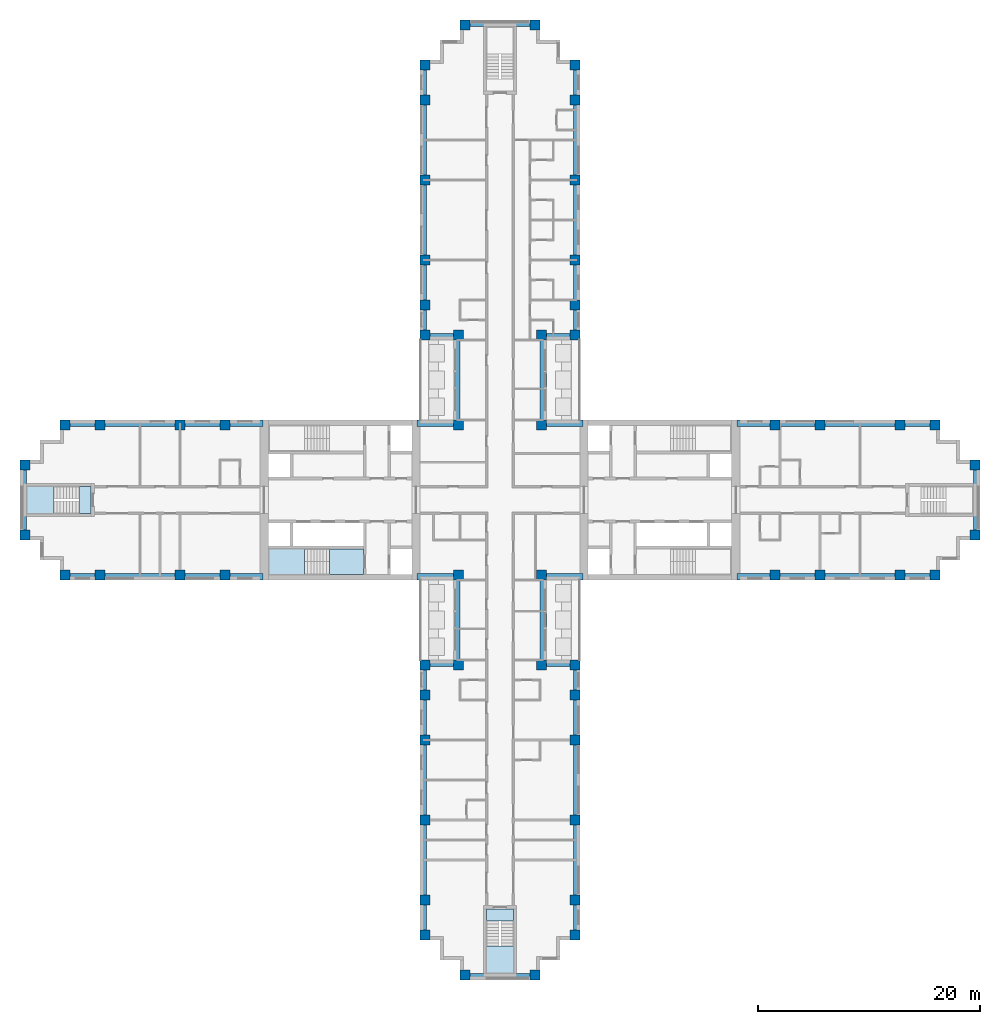
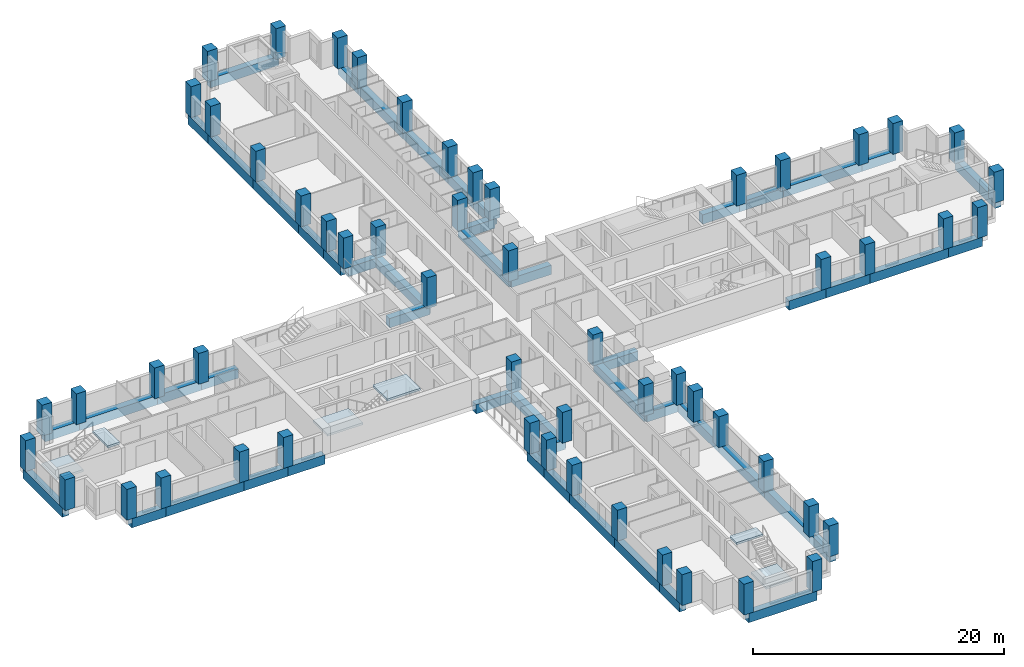
# One storey, part 1 of 15: 56 columns, 52 beams, 6 slabs, 3 elements without a shape of their own.
"""IFC4 building model written with IfcOpenShell, lengths in metres."""

from ifc_helpers import new_model, si_unit, direction, frame, origin, origin_2d, place, context, subcontext, project, spatial, polyline, rectangle, outline, extrude, material, layer, layer_set, material_profile, profile_set, type_object, element, aggregate, save


model = new_model("IFC4")

# Units and contexts
model_context = context("Model", 3, precision=1e-05, world=origin(), true_north=direction((0.0, 1.0)))
body_context = subcontext(model_context, "Body", "Model", "MODEL_VIEW")
ifc_project = project(units=[si_unit("LENGTHUNIT", "METRE"), si_unit("AREAUNIT", "SQUARE_METRE"), si_unit("VOLUMEUNIT", "CUBIC_METRE"), si_unit("PLANEANGLEUNIT", "RADIAN"), si_unit("MASSUNIT", "GRAM", prefix="KILO")], contexts=[model_context])

# Site, building, storey
site_placement = place(None, origin())
site = spatial("IfcSite", under=ifc_project, at=site_placement, CompositionType="ELEMENT")
building_placement = place(site_placement, origin())
building = spatial("IfcBuilding", under=site, at=building_placement, Name="Fustian Cross Tower", CompositionType="ELEMENT")
storey_placement = place(building_placement, frame((0.0, 0.0, 38.699951171875)))
storey = spatial("IfcBuildingStorey", under=building, at=storey_placement, Name="L11", CompositionType="ELEMENT", Elevation=38.699951171875)

# Columns
ifc_material_1 = material(Name="Concrete C70/85", Category="concrete")
ifc_material_profile_1 = material_profile(ifc_material_1, rectangle(XDim=0.89990234375, YDim=0.89990234375, at=origin_2d()), Name="RC 900x900")
ifc_profile_set_1 = profile_set([ifc_material_profile_1], Name="Concrete C70/85")
column_type = type_object("IfcColumnType", Name="COLUMN RC 900x900 C70/85", PredefinedType="COLUMN", material=ifc_profile_set_1)
for number, where, z_axis, x_axis, name in (
    (1, (-42.75, -3.14990234375, 0.0), (0.0, 0.0, 1.0), (1.0, 0.0, 0.0), "COLUMN 001"),
    (2, (-42.75, 3.14990234375, 0.0), (0.0, 0.0, 1.0), (1.0, 0.0, 0.0), "COLUMN 002"),
    (3, (-39.14990234375, -6.75, 0.0), (0.0, 0.0, 1.0), (1.0, 0.0, 0.0), "COLUMN 003"),
    (4, (-39.14990234375, 6.75, 0.0), (0.0, 0.0, 1.0), (1.0, 0.0, 0.0), "COLUMN 004"),
    (5, (-36.0, -6.75, 0.0), (0.0, 0.0, 1.0), (1.0, 0.0, 0.0), "COLUMN 005"),
    (6, (-36.0, 6.75, 0.0), (0.0, 0.0, 1.0), (1.0, 0.0, 0.0), "COLUMN 006"),
    (7, (-28.800048828125, -6.75, 0.0), (0.0, 0.0, 1.0), (1.0, 0.0, 0.0), "COLUMN 007"),
    (8, (-28.800048828125, 6.75, 0.0), (0.0, 0.0, 1.0), (1.0, 0.0, 0.0), "COLUMN 010"),
    (9, (-24.75, -6.75, 0.0), (0.0, 0.0, 1.0), (1.0, 0.0, 0.0), "COLUMN 011"),
    (10, (-24.75, 6.75, 0.0), (0.0, 0.0, 1.0), (1.0, 0.0, 0.0), "COLUMN 012"),
    (11, (-6.75, -39.14990234375, 0.0), (0.0, 0.0, 1.0), (1.0, 0.0, 0.0), "COLUMN 013"),
    (12, (-6.75, -36.0, 0.0), (0.0, 0.0, 1.0), (1.0, 0.0, 0.0), "COLUMN 014"),
    (13, (-6.75, -28.800048828125, 0.0), (0.0, 0.0, 1.0), (1.0, 0.0, 0.0), "COLUMN 015"),
    (14, (-6.75, -21.60009765625, 0.0), (0.0, 0.0, 1.0), (1.0, 0.0, 0.0), "COLUMN 016"),
    (15, (-6.75, -17.550048828125, 0.0), (0.0, 0.0, 1.0), (1.0, 0.0, 0.0), "COLUMN 017"),
    (16, (-6.75, -14.85009765625, 0.0), (0.0, 0.0, 1.0), (1.0, 0.0, 0.0), "COLUMN 018"),
    (17, (-6.75, 14.85009765625, 0.0), (0.0, 0.0, 1.0), (1.0, 0.0, 0.0), "COLUMN 019"),
    (18, (-6.75, 17.550048828125, 0.0), (0.0, 0.0, 1.0), (1.0, 0.0, 0.0), "COLUMN 020"),
    (19, (-6.75, 21.60009765625, 0.0), (0.0, 0.0, 1.0), (1.0, 0.0, 0.0), "COLUMN 021"),
    (20, (-6.75, 28.800048828125, 0.0), (0.0, 0.0, 1.0), (1.0, 0.0, 0.0), "COLUMN 022"),
    (21, (-6.75, 36.0, 0.0), (0.0, 0.0, 1.0), (1.0, 0.0, 0.0), "COLUMN 023"),
    (22, (-6.75, 39.14990234375, 0.0), (0.0, 0.0, 1.0), (1.0, 0.0, 0.0), "COLUMN 024"),
    (23, (-3.75, -14.85009765625, 0.0), (0.0, 0.0, 1.0), (1.0, 0.0, 0.0), "COLUMN 025"),
    (24, (-3.75, -6.75, 0.0), (0.0, 0.0, 1.0), (1.0, 0.0, 0.0), "COLUMN 026"),
    (25, (-3.75, 6.75, 0.0), (0.0, 0.0, 1.0), (1.0, 0.0, 0.0), "COLUMN 027"),
    (26, (-3.75, 14.85009765625, 0.0), (0.0, 0.0, 1.0), (1.0, 0.0, 0.0), "COLUMN 028"),
    (27, (-3.14990234375, -42.75, 0.0), (0.0, 0.0, 1.0), (1.0, 0.0, 0.0), "COLUMN 029"),
    (28, (-3.14990234375, 42.75, 0.0), (0.0, 0.0, 1.0), (1.0, 0.0, 0.0), "COLUMN 032"),
    (29, (3.14990234375, -42.75, 0.0), (0.0, 0.0, 1.0), (1.0, 0.0, 0.0), "COLUMN 033"),
    (30, (3.14990234375, 42.75, 0.0), (0.0, 0.0, 1.0), (1.0, 0.0, 0.0), "COLUMN 036"),
    (31, (3.75, -14.85009765625, 0.0), (0.0, 0.0, 1.0), (1.0, 0.0, 0.0), "COLUMN 037"),
    (32, (3.75, -6.75, 0.0), (0.0, 0.0, 1.0), (1.0, 0.0, 0.0), "COLUMN 038"),
    (33, (3.75, 6.75, 0.0), (0.0, 0.0, 1.0), (1.0, 0.0, 0.0), "COLUMN 039"),
    (34, (3.75, 14.85009765625, 0.0), (0.0, 0.0, 1.0), (1.0, 0.0, 0.0), "COLUMN 040"),
    (35, (6.75, -39.14990234375, 0.0), (0.0, 0.0, 1.0), (1.0, 0.0, 0.0), "COLUMN 041"),
    (36, (6.75, -36.0, 0.0), (0.0, 0.0, 1.0), (1.0, 0.0, 0.0), "COLUMN 042"),
    (37, (6.75, -28.800048828125, 0.0), (0.0, 0.0, 1.0), (1.0, 0.0, 0.0), "COLUMN 043"),
    (38, (6.75, -21.60009765625, 0.0), (0.0, 0.0, 1.0), (1.0, 0.0, 0.0), "COLUMN 044"),
    (39, (6.75, -17.550048828125, 0.0), (0.0, 0.0, 1.0), (1.0, 0.0, 0.0), "COLUMN 045"),
    (40, (6.75, -14.85009765625, 0.0), (0.0, 0.0, 1.0), (1.0, 0.0, 0.0), "COLUMN 046"),
    (41, (6.75, 14.85009765625, 0.0), (0.0, 0.0, 1.0), (1.0, 0.0, 0.0), "COLUMN 047"),
    (42, (6.75, 17.550048828125, 0.0), (0.0, 0.0, 1.0), (1.0, 0.0, 0.0), "COLUMN 048"),
    (43, (6.75, 21.60009765625, 0.0), (0.0, 0.0, 1.0), (1.0, 0.0, 0.0), "COLUMN 049"),
    (44, (6.75, 28.800048828125, 0.0), (0.0, 0.0, 1.0), (1.0, 0.0, 0.0), "COLUMN 050"),
    (45, (6.75, 36.0, 0.0), (0.0, 0.0, 1.0), (1.0, 0.0, 0.0), "COLUMN 051"),
    (46, (6.75, 39.14990234375, 0.0), (0.0, 0.0, 1.0), (1.0, 0.0, 0.0), "COLUMN 052"),
    (47, (24.75, -6.75, 0.0), (0.0, 0.0, 1.0), (1.0, 0.0, 0.0), "COLUMN 053"),
    (48, (24.75, 6.75, 0.0), (0.0, 0.0, 1.0), (1.0, 0.0, 0.0), "COLUMN 054"),
    (49, (28.800048828125, -6.75, 0.0), (0.0, 0.0, 1.0), (1.0, 0.0, 0.0), "COLUMN 055"),
    (50, (28.800048828125, 6.75, 0.0), (0.0, 0.0, 1.0), (1.0, 0.0, 0.0), "COLUMN 058"),
    (51, (36.0, -6.75, 0.0), (0.0, 0.0, 1.0), (1.0, 0.0, 0.0), "COLUMN 059"),
    (52, (36.0, 6.75, 0.0), (0.0, 0.0, 1.0), (1.0, 0.0, 0.0), "COLUMN 060"),
    (53, (39.14990234375, -6.75, 0.0), (0.0, 0.0, 1.0), (1.0, 0.0, 0.0), "COLUMN 061"),
    (54, (39.14990234375, 6.75, 0.0), (0.0, 0.0, 1.0), (1.0, 0.0, 0.0), "COLUMN 062"),
    (55, (42.75, -3.14990234375, 0.0), (0.0, 0.0, 1.0), (1.0, 0.0, 0.0), "COLUMN 063"),
    (56, (42.75, 3.14990234375, 0.0), (0.0, 0.0, 1.0), (1.0, 0.0, 0.0), "COLUMN 064"),
):
    element("IfcColumn", number, at=place(storey_placement, frame(where, z_axis=z_axis, x_axis=x_axis)), inside=storey, type_object=column_type, Name=name, PredefinedType="COLUMN", context=body_context, shape_type="SweptSolid", body=[
        extrude(rectangle(XDim=0.89990234375, YDim=0.89990234375, at=origin_2d()), origin(), (0.0, 0.0, 1.0), 3.0),
    ])

# Beams
ifc_material_2 = material(Name="Concrete C50/60", Category="concrete")
ifc_material_profile_2 = material_profile(ifc_material_2, rectangle(XDim=0.60009765625, YDim=0.89990234375, at=origin_2d()), Name="RC 600x900")
ifc_profile_set_2 = profile_set([ifc_material_profile_2], Name="Concrete C50/60")
beam_type = type_object("IfcBeamType", Name="EDGE BEAM RC 600x900 C50/60", PredefinedType="SPANDREL", material=ifc_profile_set_2)
beam_1_placement = place(storey_placement, frame((21.35009765625, -6.89990234375, -0.449951171875), z_axis=(1.0, 0.0, 0.0), x_axis=(0.0, 1.0, 0.0)))
element("IfcBeam", 57, at=beam_1_placement, inside=storey, type_object=beam_type, Name="EDGE BEAM L11-01", PredefinedType="SPANDREL", context=body_context, shape_type="SweptSolid", body=[
    extrude(rectangle(XDim=0.60009765625, YDim=0.89990234375, at=origin_2d()), origin(), (0.0, 0.0, 1.0), 3.39990234375),
])
beam_2_placement = place(storey_placement, frame((24.75, -6.89990234375, -0.449951171875), z_axis=(1.0, 0.0, 0.0), x_axis=(0.0, 1.0, 0.0)))
element("IfcBeam", 58, at=beam_2_placement, inside=storey, type_object=beam_type, Name="EDGE BEAM L11-02", PredefinedType="SPANDREL", context=body_context, shape_type="SweptSolid", body=[
    extrude(rectangle(XDim=0.60009765625, YDim=0.89990234375, at=origin_2d()), origin(), (0.0, 0.0, 1.0), 4.050048828125),
])
beam_3_placement = place(storey_placement, frame((28.800048828125, -6.89990234375, -0.449951171875), z_axis=(1.0, 0.0, 0.0), x_axis=(0.0, 1.0, 0.0)))
element("IfcBeam", 59, at=beam_3_placement, inside=storey, type_object=beam_type, Name="EDGE BEAM L11-03", PredefinedType="SPANDREL", context=body_context, shape_type="SweptSolid", body=[
    extrude(rectangle(XDim=0.60009765625, YDim=0.89990234375, at=origin_2d()), origin(), (0.0, 0.0, 1.0), 7.199951171875),
])
beam_4_placement = place(storey_placement, frame((36.0, -6.89990234375, -0.449951171875), z_axis=(1.0, 0.0, 0.0), x_axis=(0.0, 1.0, 0.0)))
element("IfcBeam", 60, at=beam_4_placement, inside=storey, type_object=beam_type, Name="EDGE BEAM L11-04", PredefinedType="SPANDREL", context=body_context, shape_type="SweptSolid", body=[
    extrude(rectangle(XDim=0.60009765625, YDim=0.89990234375, at=origin_2d()), origin(), (0.0, 0.0, 1.0), 3.14990234375),
])
beam_5_placement = place(storey_placement, frame((42.89990234375, -3.14990234375, -0.449951171875), z_axis=(0.0, 1.0, 0.0), x_axis=(-1.0, 0.0, 0.0)))
element("IfcBeam", 61, at=beam_5_placement, inside=storey, type_object=beam_type, Name="EDGE BEAM L11-05", PredefinedType="SPANDREL", context=body_context, shape_type="SweptSolid", body=[
    extrude(rectangle(XDim=0.60009765625, YDim=0.89990234375, at=origin_2d()), origin(), (0.0, 0.0, 1.0), 6.2998046875),
])
beam_6_placement = place(storey_placement, frame((39.14990234375, 6.89990234375, -0.449951171875), z_axis=(-1.0, 0.0, 0.0), x_axis=(0.0, -1.0, 0.0)))
element("IfcBeam", 62, at=beam_6_placement, inside=storey, type_object=beam_type, Name="EDGE BEAM L11-06", PredefinedType="SPANDREL", context=body_context, shape_type="SweptSolid", body=[
    extrude(rectangle(XDim=0.60009765625, YDim=0.89990234375, at=origin_2d()), origin(), (0.0, 0.0, 1.0), 3.14990234375),
])
beam_7_placement = place(storey_placement, frame((36.0, 6.89990234375, -0.449951171875), z_axis=(-1.0, 0.0, 0.0), x_axis=(0.0, -1.0, 0.0)))
element("IfcBeam", 63, at=beam_7_placement, inside=storey, type_object=beam_type, Name="EDGE BEAM L11-07", PredefinedType="SPANDREL", context=body_context, shape_type="SweptSolid", body=[
    extrude(rectangle(XDim=0.60009765625, YDim=0.89990234375, at=origin_2d()), origin(), (0.0, 0.0, 1.0), 7.199951171875),
])
beam_8_placement = place(storey_placement, frame((28.800048828125, 6.89990234375, -0.449951171875), z_axis=(-1.0, 0.0, 0.0), x_axis=(0.0, -1.0, 0.0)))
element("IfcBeam", 64, at=beam_8_placement, inside=storey, type_object=beam_type, Name="EDGE BEAM L11-08", PredefinedType="SPANDREL", context=body_context, shape_type="SweptSolid", body=[
    extrude(rectangle(XDim=0.60009765625, YDim=0.89990234375, at=origin_2d()), origin(), (0.0, 0.0, 1.0), 4.050048828125),
])
beam_9_placement = place(storey_placement, frame((24.75, 6.89990234375, -0.449951171875), z_axis=(-1.0, 0.0, 0.0), x_axis=(0.0, -1.0, 0.0)))
element("IfcBeam", 65, at=beam_9_placement, inside=storey, type_object=beam_type, Name="EDGE BEAM L11-09", PredefinedType="SPANDREL", context=body_context, shape_type="SweptSolid", body=[
    extrude(rectangle(XDim=0.60009765625, YDim=0.89990234375, at=origin_2d()), origin(), (0.0, 0.0, 1.0), 3.39990234375),
])
beam_10_placement = place(storey_placement, frame((7.449951171875, 6.89990234375, -0.449951171875), z_axis=(-1.0, 0.0, 0.0), x_axis=(0.0, -1.0, 0.0)))
element("IfcBeam", 66, at=beam_10_placement, inside=storey, type_object=beam_type, Name="EDGE BEAM L11-10", PredefinedType="SPANDREL", context=body_context, shape_type="SweptSolid", body=[
    extrude(rectangle(XDim=0.60009765625, YDim=0.89990234375, at=origin_2d()), origin(), (0.0, 0.0, 1.0), 3.699951171875),
])
beam_11_placement = place(storey_placement, frame((3.89990234375, 6.75, -0.449951171875), z_axis=(0.0, 1.0, 0.0), x_axis=(-1.0, 0.0, 0.0)))
element("IfcBeam", 67, at=beam_11_placement, inside=storey, type_object=beam_type, Name="EDGE BEAM L11-11", PredefinedType="SPANDREL", context=body_context, shape_type="SweptSolid", body=[
    extrude(rectangle(XDim=0.60009765625, YDim=0.89990234375, at=origin_2d()), origin(), (0.0, 0.0, 1.0), 8.10009765625),
])
beam_12_placement = place(storey_placement, frame((3.75, 14.699951171875, -0.449951171875), z_axis=(1.0, 0.0, 0.0), x_axis=(0.0, 1.0, 0.0)))
element("IfcBeam", 68, at=beam_12_placement, inside=storey, type_object=beam_type, Name="EDGE BEAM L11-12", PredefinedType="SPANDREL", context=body_context, shape_type="SweptSolid", body=[
    extrude(rectangle(XDim=0.60009765625, YDim=0.89990234375, at=origin_2d()), origin(), (0.0, 0.0, 1.0), 3.0),
])
beam_13_placement = place(storey_placement, frame((6.89990234375, 14.85009765625, -0.449951171875), z_axis=(0.0, 1.0, 0.0), x_axis=(-1.0, 0.0, 0.0)))
element("IfcBeam", 69, at=beam_13_placement, inside=storey, type_object=beam_type, Name="EDGE BEAM L11-13", PredefinedType="SPANDREL", context=body_context, shape_type="SweptSolid", body=[
    extrude(rectangle(XDim=0.60009765625, YDim=0.89990234375, at=origin_2d()), origin(), (0.0, 0.0, 1.0), 2.699951171875),
])
beam_14_placement = place(storey_placement, frame((6.89990234375, 17.550048828125, -0.449951171875), z_axis=(0.0, 1.0, 0.0), x_axis=(-1.0, 0.0, 0.0)))
element("IfcBeam", 70, at=beam_14_placement, inside=storey, type_object=beam_type, Name="EDGE BEAM L11-14", PredefinedType="SPANDREL", context=body_context, shape_type="SweptSolid", body=[
    extrude(rectangle(XDim=0.60009765625, YDim=0.89990234375, at=origin_2d()), origin(), (0.0, 0.0, 1.0), 4.050048828125),
])
for number, where, z_axis, x_axis, name in (
    (71, (6.89990234375, 21.60009765625, -0.449951171875), (0.0, 1.0, 0.0), (-1.0, 0.0, 0.0), "EDGE BEAM L11-15"),
    (72, (6.89990234375, 28.800048828125, -0.449951171875), (0.0, 1.0, 0.0), (-1.0, 0.0, 0.0), "EDGE BEAM L11-16"),
):
    element("IfcBeam", number, at=place(storey_placement, frame(where, z_axis=z_axis, x_axis=x_axis)), inside=storey, type_object=beam_type, Name=name, PredefinedType="SPANDREL", context=body_context, shape_type="SweptSolid", body=[
        extrude(rectangle(XDim=0.60009765625, YDim=0.89990234375, at=origin_2d()), origin(), (0.0, 0.0, 1.0), 7.199951171875),
    ])
beam_15_placement = place(storey_placement, frame((6.89990234375, 36.0, -0.449951171875), z_axis=(0.0, 1.0, 0.0), x_axis=(-1.0, 0.0, 0.0)))
element("IfcBeam", 73, at=beam_15_placement, inside=storey, type_object=beam_type, Name="EDGE BEAM L11-17", PredefinedType="SPANDREL", context=body_context, shape_type="SweptSolid", body=[
    extrude(rectangle(XDim=0.60009765625, YDim=0.89990234375, at=origin_2d()), origin(), (0.0, 0.0, 1.0), 3.14990234375),
])
beam_16_placement = place(storey_placement, frame((3.14990234375, 42.89990234375, -0.449951171875), z_axis=(-1.0, 0.0, 0.0), x_axis=(0.0, -1.0, 0.0)))
element("IfcBeam", 74, at=beam_16_placement, inside=storey, type_object=beam_type, Name="EDGE BEAM L11-18", PredefinedType="SPANDREL", context=body_context, shape_type="SweptSolid", body=[
    extrude(rectangle(XDim=0.60009765625, YDim=0.89990234375, at=origin_2d()), origin(), (0.0, 0.0, 1.0), 6.2998046875),
])
beam_17_placement = place(storey_placement, frame((-6.89990234375, 39.14990234375, -0.449951171875), z_axis=(0.0, -1.0, 0.0), x_axis=(1.0, 0.0, 0.0)))
element("IfcBeam", 75, at=beam_17_placement, inside=storey, type_object=beam_type, Name="EDGE BEAM L11-19", PredefinedType="SPANDREL", context=body_context, shape_type="SweptSolid", body=[
    extrude(rectangle(XDim=0.60009765625, YDim=0.89990234375, at=origin_2d()), origin(), (0.0, 0.0, 1.0), 3.14990234375),
])
for number, where, z_axis, x_axis, name in (
    (76, (-6.89990234375, 36.0, -0.449951171875), (0.0, -1.0, 0.0), (1.0, 0.0, 0.0), "EDGE BEAM L11-20"),
    (77, (-6.89990234375, 28.800048828125, -0.449951171875), (0.0, -1.0, 0.0), (1.0, 0.0, 0.0), "EDGE BEAM L11-21"),
):
    element("IfcBeam", number, at=place(storey_placement, frame(where, z_axis=z_axis, x_axis=x_axis)), inside=storey, type_object=beam_type, Name=name, PredefinedType="SPANDREL", context=body_context, shape_type="SweptSolid", body=[
        extrude(rectangle(XDim=0.60009765625, YDim=0.89990234375, at=origin_2d()), origin(), (0.0, 0.0, 1.0), 7.199951171875),
    ])
beam_18_placement = place(storey_placement, frame((-6.89990234375, 21.60009765625, -0.449951171875), z_axis=(0.0, -1.0, 0.0), x_axis=(1.0, 0.0, 0.0)))
element("IfcBeam", 78, at=beam_18_placement, inside=storey, type_object=beam_type, Name="EDGE BEAM L11-22", PredefinedType="SPANDREL", context=body_context, shape_type="SweptSolid", body=[
    extrude(rectangle(XDim=0.60009765625, YDim=0.89990234375, at=origin_2d()), origin(), (0.0, 0.0, 1.0), 4.050048828125),
])
beam_19_placement = place(storey_placement, frame((-6.89990234375, 17.550048828125, -0.449951171875), z_axis=(0.0, -1.0, 0.0), x_axis=(1.0, 0.0, 0.0)))
element("IfcBeam", 79, at=beam_19_placement, inside=storey, type_object=beam_type, Name="EDGE BEAM L11-23", PredefinedType="SPANDREL", context=body_context, shape_type="SweptSolid", body=[
    extrude(rectangle(XDim=0.60009765625, YDim=0.89990234375, at=origin_2d()), origin(), (0.0, 0.0, 1.0), 2.699951171875),
])
beam_20_placement = place(storey_placement, frame((-6.75, 14.699951171875, -0.449951171875), z_axis=(1.0, 0.0, 0.0), x_axis=(0.0, 1.0, 0.0)))
element("IfcBeam", 80, at=beam_20_placement, inside=storey, type_object=beam_type, Name="EDGE BEAM L11-24", PredefinedType="SPANDREL", context=body_context, shape_type="SweptSolid", body=[
    extrude(rectangle(XDim=0.60009765625, YDim=0.89990234375, at=origin_2d()), origin(), (0.0, 0.0, 1.0), 3.0),
])
beam_21_placement = place(storey_placement, frame((-3.89990234375, 14.85009765625, -0.449951171875), z_axis=(0.0, -1.0, 0.0), x_axis=(1.0, 0.0, 0.0)))
element("IfcBeam", 81, at=beam_21_placement, inside=storey, type_object=beam_type, Name="EDGE BEAM L11-25", PredefinedType="SPANDREL", context=body_context, shape_type="SweptSolid", body=[
    extrude(rectangle(XDim=0.60009765625, YDim=0.89990234375, at=origin_2d()), origin(), (0.0, 0.0, 1.0), 8.10009765625),
])
beam_22_placement = place(storey_placement, frame((-3.75, 6.89990234375, -0.449951171875), z_axis=(-1.0, 0.0, 0.0), x_axis=(0.0, -1.0, 0.0)))
element("IfcBeam", 82, at=beam_22_placement, inside=storey, type_object=beam_type, Name="EDGE BEAM L11-26", PredefinedType="SPANDREL", context=body_context, shape_type="SweptSolid", body=[
    extrude(rectangle(XDim=0.60009765625, YDim=0.89990234375, at=origin_2d()), origin(), (0.0, 0.0, 1.0), 3.699951171875),
])
beam_23_placement = place(storey_placement, frame((-21.35009765625, 6.89990234375, -0.449951171875), z_axis=(-1.0, 0.0, 0.0), x_axis=(0.0, -1.0, 0.0)))
element("IfcBeam", 83, at=beam_23_placement, inside=storey, type_object=beam_type, Name="EDGE BEAM L11-27", PredefinedType="SPANDREL", context=body_context, shape_type="SweptSolid", body=[
    extrude(rectangle(XDim=0.60009765625, YDim=0.89990234375, at=origin_2d()), origin(), (0.0, 0.0, 1.0), 3.39990234375),
])
beam_24_placement = place(storey_placement, frame((-24.75, 6.89990234375, -0.449951171875), z_axis=(-1.0, 0.0, 0.0), x_axis=(0.0, -1.0, 0.0)))
element("IfcBeam", 84, at=beam_24_placement, inside=storey, type_object=beam_type, Name="EDGE BEAM L11-28", PredefinedType="SPANDREL", context=body_context, shape_type="SweptSolid", body=[
    extrude(rectangle(XDim=0.60009765625, YDim=0.89990234375, at=origin_2d()), origin(), (0.0, 0.0, 1.0), 4.050048828125),
])
beam_25_placement = place(storey_placement, frame((-28.800048828125, 6.89990234375, -0.449951171875), z_axis=(-1.0, 0.0, 0.0), x_axis=(0.0, -1.0, 0.0)))
element("IfcBeam", 85, at=beam_25_placement, inside=storey, type_object=beam_type, Name="EDGE BEAM L11-29", PredefinedType="SPANDREL", context=body_context, shape_type="SweptSolid", body=[
    extrude(rectangle(XDim=0.60009765625, YDim=0.89990234375, at=origin_2d()), origin(), (0.0, 0.0, 1.0), 7.199951171875),
])
beam_26_placement = place(storey_placement, frame((-36.0, 6.89990234375, -0.449951171875), z_axis=(-1.0, 0.0, 0.0), x_axis=(0.0, -1.0, 0.0)))
element("IfcBeam", 86, at=beam_26_placement, inside=storey, type_object=beam_type, Name="EDGE BEAM L11-30", PredefinedType="SPANDREL", context=body_context, shape_type="SweptSolid", body=[
    extrude(rectangle(XDim=0.60009765625, YDim=0.89990234375, at=origin_2d()), origin(), (0.0, 0.0, 1.0), 3.14990234375),
])
beam_27_placement = place(storey_placement, frame((-42.89990234375, 3.14990234375, -0.449951171875), z_axis=(0.0, -1.0, 0.0), x_axis=(1.0, 0.0, 0.0)))
element("IfcBeam", 87, at=beam_27_placement, inside=storey, type_object=beam_type, Name="EDGE BEAM L11-31", PredefinedType="SPANDREL", context=body_context, shape_type="SweptSolid", body=[
    extrude(rectangle(XDim=0.60009765625, YDim=0.89990234375, at=origin_2d()), origin(), (0.0, 0.0, 1.0), 6.2998046875),
])
beam_28_placement = place(storey_placement, frame((-39.14990234375, -6.89990234375, -0.449951171875), z_axis=(1.0, 0.0, 0.0), x_axis=(0.0, 1.0, 0.0)))
element("IfcBeam", 88, at=beam_28_placement, inside=storey, type_object=beam_type, Name="EDGE BEAM L11-32", PredefinedType="SPANDREL", context=body_context, shape_type="SweptSolid", body=[
    extrude(rectangle(XDim=0.60009765625, YDim=0.89990234375, at=origin_2d()), origin(), (0.0, 0.0, 1.0), 3.14990234375),
])
beam_29_placement = place(storey_placement, frame((-36.0, -6.89990234375, -0.449951171875), z_axis=(1.0, 0.0, 0.0), x_axis=(0.0, 1.0, 0.0)))
element("IfcBeam", 89, at=beam_29_placement, inside=storey, type_object=beam_type, Name="EDGE BEAM L11-33", PredefinedType="SPANDREL", context=body_context, shape_type="SweptSolid", body=[
    extrude(rectangle(XDim=0.60009765625, YDim=0.89990234375, at=origin_2d()), origin(), (0.0, 0.0, 1.0), 7.199951171875),
])
beam_30_placement = place(storey_placement, frame((-28.800048828125, -6.89990234375, -0.449951171875), z_axis=(1.0, 0.0, 0.0), x_axis=(0.0, 1.0, 0.0)))
element("IfcBeam", 90, at=beam_30_placement, inside=storey, type_object=beam_type, Name="EDGE BEAM L11-34", PredefinedType="SPANDREL", context=body_context, shape_type="SweptSolid", body=[
    extrude(rectangle(XDim=0.60009765625, YDim=0.89990234375, at=origin_2d()), origin(), (0.0, 0.0, 1.0), 4.050048828125),
])
beam_31_placement = place(storey_placement, frame((-24.75, -6.89990234375, -0.449951171875), z_axis=(1.0, 0.0, 0.0), x_axis=(0.0, 1.0, 0.0)))
element("IfcBeam", 91, at=beam_31_placement, inside=storey, type_object=beam_type, Name="EDGE BEAM L11-35", PredefinedType="SPANDREL", context=body_context, shape_type="SweptSolid", body=[
    extrude(rectangle(XDim=0.60009765625, YDim=0.89990234375, at=origin_2d()), origin(), (0.0, 0.0, 1.0), 3.39990234375),
])
beam_32_placement = place(storey_placement, frame((-7.449951171875, -6.89990234375, -0.449951171875), z_axis=(1.0, 0.0, 0.0), x_axis=(0.0, 1.0, 0.0)))
element("IfcBeam", 92, at=beam_32_placement, inside=storey, type_object=beam_type, Name="EDGE BEAM L11-36", PredefinedType="SPANDREL", context=body_context, shape_type="SweptSolid", body=[
    extrude(rectangle(XDim=0.60009765625, YDim=0.89990234375, at=origin_2d()), origin(), (0.0, 0.0, 1.0), 3.699951171875),
])
beam_33_placement = place(storey_placement, frame((-3.89990234375, -6.75, -0.449951171875), z_axis=(0.0, -1.0, 0.0), x_axis=(1.0, 0.0, 0.0)))
element("IfcBeam", 93, at=beam_33_placement, inside=storey, type_object=beam_type, Name="EDGE BEAM L11-37", PredefinedType="SPANDREL", context=body_context, shape_type="SweptSolid", body=[
    extrude(rectangle(XDim=0.60009765625, YDim=0.89990234375, at=origin_2d()), origin(), (0.0, 0.0, 1.0), 8.10009765625),
])
beam_34_placement = place(storey_placement, frame((-3.75, -14.699951171875, -0.449951171875), z_axis=(-1.0, 0.0, 0.0), x_axis=(0.0, -1.0, 0.0)))
element("IfcBeam", 94, at=beam_34_placement, inside=storey, type_object=beam_type, Name="EDGE BEAM L11-38", PredefinedType="SPANDREL", context=body_context, shape_type="SweptSolid", body=[
    extrude(rectangle(XDim=0.60009765625, YDim=0.89990234375, at=origin_2d()), origin(), (0.0, 0.0, 1.0), 3.0),
])
beam_35_placement = place(storey_placement, frame((-6.89990234375, -14.85009765625, -0.449951171875), z_axis=(0.0, -1.0, 0.0), x_axis=(1.0, 0.0, 0.0)))
element("IfcBeam", 95, at=beam_35_placement, inside=storey, type_object=beam_type, Name="EDGE BEAM L11-39", PredefinedType="SPANDREL", context=body_context, shape_type="SweptSolid", body=[
    extrude(rectangle(XDim=0.60009765625, YDim=0.89990234375, at=origin_2d()), origin(), (0.0, 0.0, 1.0), 2.699951171875),
])
beam_36_placement = place(storey_placement, frame((-6.89990234375, -17.550048828125, -0.449951171875), z_axis=(0.0, -1.0, 0.0), x_axis=(1.0, 0.0, 0.0)))
element("IfcBeam", 96, at=beam_36_placement, inside=storey, type_object=beam_type, Name="EDGE BEAM L11-40", PredefinedType="SPANDREL", context=body_context, shape_type="SweptSolid", body=[
    extrude(rectangle(XDim=0.60009765625, YDim=0.89990234375, at=origin_2d()), origin(), (0.0, 0.0, 1.0), 4.050048828125),
])
for number, where, z_axis, x_axis, name in (
    (97, (-6.89990234375, -21.60009765625, -0.449951171875), (0.0, -1.0, 0.0), (1.0, 0.0, 0.0), "EDGE BEAM L11-41"),
    (98, (-6.89990234375, -28.800048828125, -0.449951171875), (0.0, -1.0, 0.0), (1.0, 0.0, 0.0), "EDGE BEAM L11-42"),
):
    element("IfcBeam", number, at=place(storey_placement, frame(where, z_axis=z_axis, x_axis=x_axis)), inside=storey, type_object=beam_type, Name=name, PredefinedType="SPANDREL", context=body_context, shape_type="SweptSolid", body=[
        extrude(rectangle(XDim=0.60009765625, YDim=0.89990234375, at=origin_2d()), origin(), (0.0, 0.0, 1.0), 7.199951171875),
    ])
beam_37_placement = place(storey_placement, frame((-6.89990234375, -36.0, -0.449951171875), z_axis=(0.0, -1.0, 0.0), x_axis=(1.0, 0.0, 0.0)))
element("IfcBeam", 99, at=beam_37_placement, inside=storey, type_object=beam_type, Name="EDGE BEAM L11-43", PredefinedType="SPANDREL", context=body_context, shape_type="SweptSolid", body=[
    extrude(rectangle(XDim=0.60009765625, YDim=0.89990234375, at=origin_2d()), origin(), (0.0, 0.0, 1.0), 3.14990234375),
])
beam_38_placement = place(storey_placement, frame((-3.14990234375, -42.89990234375, -0.449951171875), z_axis=(1.0, 0.0, 0.0), x_axis=(0.0, 1.0, 0.0)))
element("IfcBeam", 100, at=beam_38_placement, inside=storey, type_object=beam_type, Name="EDGE BEAM L11-44", PredefinedType="SPANDREL", context=body_context, shape_type="SweptSolid", body=[
    extrude(rectangle(XDim=0.60009765625, YDim=0.89990234375, at=origin_2d()), origin(), (0.0, 0.0, 1.0), 6.2998046875),
])
beam_39_placement = place(storey_placement, frame((6.89990234375, -39.14990234375, -0.449951171875), z_axis=(0.0, 1.0, 0.0), x_axis=(-1.0, 0.0, 0.0)))
element("IfcBeam", 101, at=beam_39_placement, inside=storey, type_object=beam_type, Name="EDGE BEAM L11-45", PredefinedType="SPANDREL", context=body_context, shape_type="SweptSolid", body=[
    extrude(rectangle(XDim=0.60009765625, YDim=0.89990234375, at=origin_2d()), origin(), (0.0, 0.0, 1.0), 3.14990234375),
])
for number, where, z_axis, x_axis, name in (
    (102, (6.89990234375, -36.0, -0.449951171875), (0.0, 1.0, 0.0), (-1.0, 0.0, 0.0), "EDGE BEAM L11-46"),
    (103, (6.89990234375, -28.800048828125, -0.449951171875), (0.0, 1.0, 0.0), (-1.0, 0.0, 0.0), "EDGE BEAM L11-47"),
):
    element("IfcBeam", number, at=place(storey_placement, frame(where, z_axis=z_axis, x_axis=x_axis)), inside=storey, type_object=beam_type, Name=name, PredefinedType="SPANDREL", context=body_context, shape_type="SweptSolid", body=[
        extrude(rectangle(XDim=0.60009765625, YDim=0.89990234375, at=origin_2d()), origin(), (0.0, 0.0, 1.0), 7.199951171875),
    ])
beam_40_placement = place(storey_placement, frame((6.89990234375, -21.60009765625, -0.449951171875), z_axis=(0.0, 1.0, 0.0), x_axis=(-1.0, 0.0, 0.0)))
element("IfcBeam", 104, at=beam_40_placement, inside=storey, type_object=beam_type, Name="EDGE BEAM L11-48", PredefinedType="SPANDREL", context=body_context, shape_type="SweptSolid", body=[
    extrude(rectangle(XDim=0.60009765625, YDim=0.89990234375, at=origin_2d()), origin(), (0.0, 0.0, 1.0), 4.050048828125),
])
beam_41_placement = place(storey_placement, frame((6.89990234375, -17.550048828125, -0.449951171875), z_axis=(0.0, 1.0, 0.0), x_axis=(-1.0, 0.0, 0.0)))
element("IfcBeam", 105, at=beam_41_placement, inside=storey, type_object=beam_type, Name="EDGE BEAM L11-49", PredefinedType="SPANDREL", context=body_context, shape_type="SweptSolid", body=[
    extrude(rectangle(XDim=0.60009765625, YDim=0.89990234375, at=origin_2d()), origin(), (0.0, 0.0, 1.0), 2.699951171875),
])
beam_42_placement = place(storey_placement, frame((6.75, -14.699951171875, -0.449951171875), z_axis=(-1.0, 0.0, 0.0), x_axis=(0.0, -1.0, 0.0)))
element("IfcBeam", 106, at=beam_42_placement, inside=storey, type_object=beam_type, Name="EDGE BEAM L11-50", PredefinedType="SPANDREL", context=body_context, shape_type="SweptSolid", body=[
    extrude(rectangle(XDim=0.60009765625, YDim=0.89990234375, at=origin_2d()), origin(), (0.0, 0.0, 1.0), 3.0),
])
beam_43_placement = place(storey_placement, frame((3.89990234375, -14.85009765625, -0.449951171875), z_axis=(0.0, 1.0, 0.0), x_axis=(-1.0, 0.0, 0.0)))
element("IfcBeam", 107, at=beam_43_placement, inside=storey, type_object=beam_type, Name="EDGE BEAM L11-51", PredefinedType="SPANDREL", context=body_context, shape_type="SweptSolid", body=[
    extrude(rectangle(XDim=0.60009765625, YDim=0.89990234375, at=origin_2d()), origin(), (0.0, 0.0, 1.0), 8.10009765625),
])
beam_44_placement = place(storey_placement, frame((3.75, -6.89990234375, -0.449951171875), z_axis=(1.0, 0.0, 0.0), x_axis=(0.0, 1.0, 0.0)))
element("IfcBeam", 108, at=beam_44_placement, inside=storey, type_object=beam_type, Name="EDGE BEAM L11-52", PredefinedType="SPANDREL", context=body_context, shape_type="SweptSolid", body=[
    extrude(rectangle(XDim=0.60009765625, YDim=0.89990234375, at=origin_2d()), origin(), (0.0, 0.0, 1.0), 3.699951171875),
])

# Stair, slabs
ifc_material_3 = material(Name="Concrete C50/60", Category="concrete")
stair_type_1 = type_object("IfcStairType", Name="STAIR 1150 HALF TURN", PredefinedType="HALF_TURN_STAIR", material=ifc_material_3)
stair_1_placement = place(storey_placement, origin())
stair_1 = element("IfcStair", 109, at=stair_1_placement, inside=storey, type_object=stair_type_1, Name="Stair ST4", PredefinedType="HALF_TURN_STAIR")
ifc_material_4 = material(Name="Concrete C50/60", Category="concrete")
ifc_layer = layer(ifc_material_4, 0.199951171875)
ifc_layer_set = layer_set([ifc_layer], Name="Concrete C50/60")
slab_type = type_object("IfcSlabType", Name="STAIR LANDING", PredefinedType="LANDING", material=ifc_layer_set)
slab_1_placement = place(storey_placement, frame((0.0, 0.0, 1.300048828125)))
slab_1 = element("IfcSlab", 110, at=slab_1_placement, type_object=slab_type, Name="ST4 landing 1", PredefinedType="LANDING", context=body_context, shape_type="SweptSolid", body=[
    extrude(outline(polyline([(-17.590087890625, -4.39990234375), (-20.85009765625, -4.39990234375), (-20.85009765625, -6.699951171875), (-17.590087890625, -6.699951171875), (-17.590087890625, -4.39990234375)])), origin(), (0.0, 0.0, 1.0), 0.199951171875),
])
slab_2_placement = place(storey_placement, frame((0.0, 0.0, 2.800048828125)))
slab_2 = element("IfcSlab", 111, at=slab_2_placement, type_object=slab_type, Name="ST4 landing 2", PredefinedType="LANDING", context=body_context, shape_type="SweptSolid", body=[
    extrude(outline(polyline([(-12.300048828125, -4.39990234375), (-15.35009765625, -4.39990234375), (-15.35009765625, -6.699951171875), (-12.300048828125, -6.699951171875), (-12.300048828125, -4.39990234375)])), origin(), (0.0, 0.0, 1.0), 0.199951171875),
])
aggregate(stair_1, [slab_1, slab_2])

ifc_material_5 = material(Name="Concrete C50/60", Category="concrete")
stair_type_2 = type_object("IfcStairType", Name="STAIR 1100 HALF TURN", PredefinedType="HALF_TURN_STAIR", material=ifc_material_5)
stair_2_placement = place(storey_placement, origin())
stair_2 = element("IfcStair", 112, at=stair_2_placement, inside=storey, type_object=stair_type_2, Name="Stair ST6", PredefinedType="HALF_TURN_STAIR")
slab_3_placement = place(storey_placement, frame((0.0, 0.0, 1.300048828125)))
slab_3 = element("IfcSlab", 113, at=slab_3_placement, type_object=slab_type, Name="ST6 landing 1", PredefinedType="LANDING", context=body_context, shape_type="SweptSolid", body=[
    extrude(outline(polyline([(-1.199951171875, -40.139892578125), (-1.199951171875, -42.60009765625), (1.199951171875, -42.60009765625), (1.199951171875, -40.139892578125), (-1.199951171875, -40.139892578125)])), origin(), (0.0, 0.0, 1.0), 0.199951171875),
])
slab_4_placement = place(storey_placement, frame((0.0, 0.0, 2.800048828125)))
slab_4 = element("IfcSlab", 114, at=slab_4_placement, type_object=slab_type, Name="ST6 landing 2", PredefinedType="LANDING", context=body_context, shape_type="SweptSolid", body=[
    extrude(outline(polyline([(-1.199951171875, -36.800048828125), (-1.199951171875, -37.89990234375), (1.199951171875, -37.89990234375), (1.199951171875, -36.800048828125), (-1.199951171875, -36.800048828125)])), origin(), (0.0, 0.0, 1.0), 0.199951171875),
])
aggregate(stair_2, [slab_3, slab_4])

stair_3_placement = place(storey_placement, origin())
stair_3 = element("IfcStair", 115, at=stair_3_placement, inside=storey, type_object=stair_type_2, Name="Stair ST9", PredefinedType="HALF_TURN_STAIR")
slab_5_placement = place(storey_placement, frame((0.0, 0.0, 1.300048828125)))
slab_5 = element("IfcSlab", 116, at=slab_5_placement, type_object=slab_type, Name="ST9 landing 1", PredefinedType="LANDING", context=body_context, shape_type="SweptSolid", body=[
    extrude(outline(polyline([(-40.139892578125, -1.199951171875), (-42.60009765625, -1.199951171875), (-42.60009765625, 1.199951171875), (-40.139892578125, 1.199951171875), (-40.139892578125, -1.199951171875)])), origin(), (0.0, 0.0, 1.0), 0.199951171875),
])
slab_6_placement = place(storey_placement, frame((0.0, 0.0, 2.800048828125)))
slab_6 = element("IfcSlab", 117, at=slab_6_placement, type_object=slab_type, Name="ST9 landing 2", PredefinedType="LANDING", context=body_context, shape_type="SweptSolid", body=[
    extrude(outline(polyline([(-36.800048828125, -1.199951171875), (-37.89990234375, -1.199951171875), (-37.89990234375, 1.199951171875), (-36.800048828125, 1.199951171875), (-36.800048828125, -1.199951171875)])), origin(), (0.0, 0.0, 1.0), 0.199951171875),
])
aggregate(stair_3, [slab_5, slab_6])

save(model, "model.ifc")
